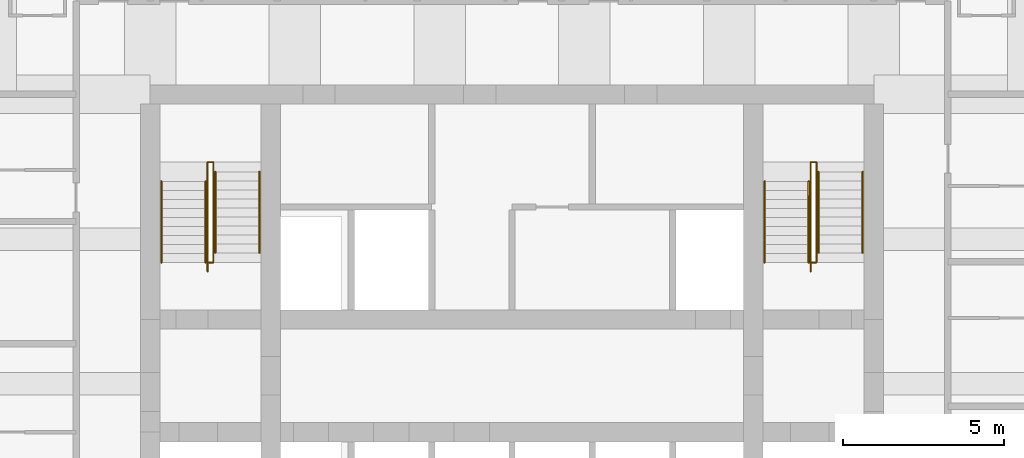
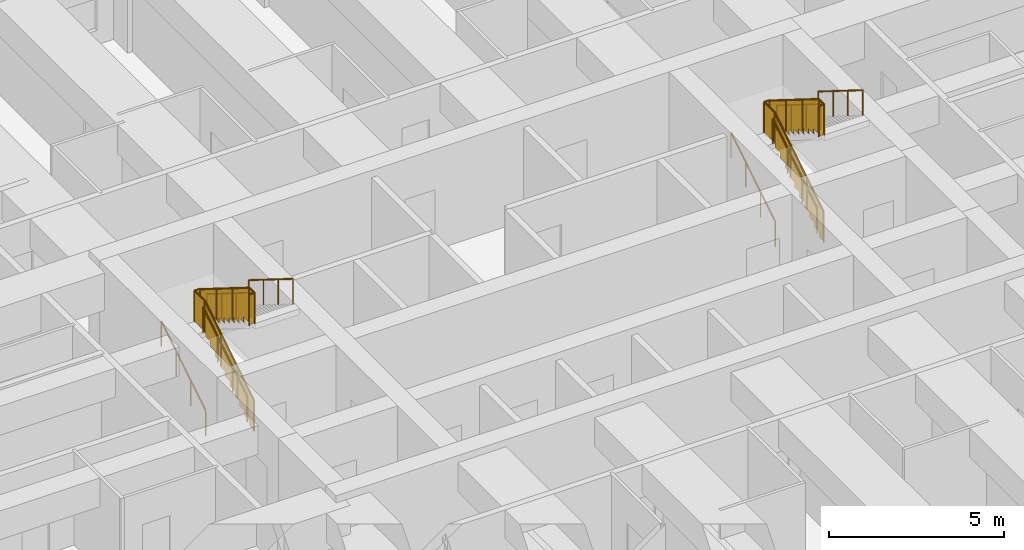
# One storey, part 8 of 8: 12 railings.
"""IFC4 building model written with IfcOpenShell, lengths in metres."""

import ifcopenshell
import ifcopenshell.guid

model = None  # the IFC model being written
_history = None  # IfcOwnerHistory: only IFC2X3 demands one
_inside = {}  # id of a spatial element -> (the spatial element, [elements in it])
_under = {}  # id of a project, library or spatial element -> (it, [spatial elements below it])
_declared = {}  # id of a project -> (the project, [libraries it declares])
_typed = {}  # id of a type object -> (the type object, [elements of that type])
_made_of = {}  # id of a material, layer set ... -> (it, [elements and type objects made of it])


def new_model(schema):
    """Start an empty IFC model of exactly this schema.

    Asked for "IFC4X3", IfcOpenShell would pick the latest addendum, in which some entities
    have other attributes; the version numbers below select the first issue.
    IFC2X3 requires an IfcOwnerHistory on every rooted entity: one is made here for all.
    """
    global model, _history
    if schema == "IFC4X3":
        model = ifcopenshell.file(schema_version=(4, 3, 0, 0))
    else:
        model = ifcopenshell.file(schema=schema)
    _inside.clear()
    _under.clear()
    _declared.clear()
    _typed.clear()
    _made_of.clear()
    _history = None
    if model.schema == "IFC2X3":
        org = make("IfcOrganization", Name="unknown")
        user = make(
            "IfcPersonAndOrganization",
            ThePerson=make("IfcPerson", FamilyName="unknown"),
            TheOrganization=org,
        )
        app = make(
            "IfcApplication",
            ApplicationDeveloper=org,
            Version="unknown",
            ApplicationFullName="unknown",
            ApplicationIdentifier="unknown",
        )
        _history = make(
            "IfcOwnerHistory",
            OwningUser=user,
            OwningApplication=app,
            ChangeAction="ADDED",
            CreationDate=0,
        )
    return model


def make(cls, **values):
    """One entity of the class cls with the attributes given. An attribute that is None is left unset."""
    return model.create_entity(
        cls, **{name: value for name, value in values.items() if value is not None}
    )


def rooted(cls, **values):
    """An entity with a GlobalId (a new one), such as an element, a storey or a relation."""
    return make(cls, GlobalId=ifcopenshell.guid.new(), OwnerHistory=_history, **values)


def si_unit(unit_type, name, prefix=None):
    """IfcSIUnit, for example si_unit("LENGTHUNIT", "METRE", prefix="MILLI")."""
    return make("IfcSIUnit", UnitType=unit_type, Prefix=prefix, Name=name)


def assignment(units):
    """IfcUnitAssignment: the units of a project."""
    return None if units is None else make("IfcUnitAssignment", Units=units)


def point(xyz):
    """IfcCartesianPoint."""
    return None if xyz is None else make("IfcCartesianPoint", Coordinates=xyz)


def direction(xyz):
    """IfcDirection."""
    return None if xyz is None else make("IfcDirection", DirectionRatios=xyz)


def frame(location, z_axis=None, x_axis=None):
    """IfcAxis2Placement3D, a coordinate frame: its origin and axes. An axis left out is left unset."""
    return make(
        "IfcAxis2Placement3D",
        Location=point(location),
        Axis=direction(z_axis),
        RefDirection=direction(x_axis),
    )


def frame_2d(location, x_axis=None):
    """IfcAxis2Placement2D, a coordinate frame in the plane: its origin and x axis."""
    return make(
        "IfcAxis2Placement2D", Location=point(location), RefDirection=direction(x_axis)
    )


def origin():
    """The frame at (0, 0, 0) with its axes left unset."""
    return frame((0.0, 0.0, 0.0))


def origin_2d():
    """The frame at (0, 0) in the plane with its x axis left unset."""
    return frame_2d((0.0, 0.0))


def place(relative_to, where):
    """IfcLocalPlacement: puts the frame where relative to a parent placement (None: the world)."""
    return make(
        "IfcLocalPlacement", PlacementRelTo=relative_to, RelativePlacement=where
    )


def context(
    kind, dimensions, precision=None, world=None, true_north=None, identifier=None
):
    """IfcGeometricRepresentationContext, for example the 3D "Model" context."""
    return make(
        "IfcGeometricRepresentationContext",
        ContextIdentifier=identifier,
        ContextType=kind,
        CoordinateSpaceDimension=dimensions,
        Precision=precision,
        WorldCoordinateSystem=world,
        TrueNorth=true_north,
    )


def subcontext(parent, identifier, kind, view, scale=None):
    """IfcGeometricRepresentationSubContext, for example "Body" below "Model"."""
    return make(
        "IfcGeometricRepresentationSubContext",
        ContextIdentifier=identifier,
        ContextType=kind,
        ParentContext=parent,
        TargetScale=scale,
        TargetView=view,
    )


def project(units=None, contexts=None):
    """IfcProject with its units and contexts."""
    return rooted(
        "IfcProject",
        Name="project",
        RepresentationContexts=contexts,
        UnitsInContext=assignment(units),
    )


def spatial(cls, under=None, at=None, **own):
    """A site, building, storey or space (cls), placed at a placement, below another one or the project."""
    s = rooted(cls, ObjectPlacement=at, **own)
    if under is not None:
        _under.setdefault(under.id(), (under, []))[1].append(s)
    return s


def polyline(points):
    """IfcPolyline through the points."""
    return make("IfcPolyline", Points=[point(p) for p in points])


def profile(cls, at=None, kind="AREA", **sizes):
    """A parametric profile (cls). Its sizes go by their IFC names, for example OverallWidth=200.0."""
    return make(cls, ProfileType=kind, Position=at, **sizes)


def circle(**sizes):
    """IfcCircleProfileDef."""
    return profile("IfcCircleProfileDef", **sizes)


def outline(outer, holes=None, kind="AREA"):
    """IfcArbitraryClosedProfileDef: a profile drawn as a closed curve; with holes, ...WithVoids."""
    if holes is None:
        return make("IfcArbitraryClosedProfileDef", ProfileType=kind, OuterCurve=outer)
    return make(
        "IfcArbitraryProfileDefWithVoids",
        ProfileType=kind,
        OuterCurve=outer,
        InnerCurves=holes,
    )


def extrude(swept, where, along, depth):
    """IfcExtrudedAreaSolid: the profile swept, set in the frame where, extruded along a direction by depth."""
    return make(
        "IfcExtrudedAreaSolid",
        SweptArea=swept,
        Position=where,
        ExtrudedDirection=direction(along),
        Depth=depth,
    )


def shape(context_of_items, identifier, shape_type, items):
    """IfcShapeRepresentation: the items that make up one representation, for example the "Body"."""
    return make(
        "IfcShapeRepresentation",
        ContextOfItems=context_of_items,
        RepresentationIdentifier=identifier,
        RepresentationType=shape_type,
        Items=items,
    )


def material(Name=None, Category=None):
    """IfcMaterial."""
    return make("IfcMaterial", Name=Name, Category=Category)


def made_of(thing, what):
    """Note that an element or type object is made of a material, layer set ...; save() writes the relation."""
    if what is not None:
        _made_of.setdefault(what.id(), (what, []))[1].append(thing)
    return thing


def type_object(cls, material=None, **own):
    """A type object (cls), such as IfcWallType, which elements share."""
    return made_of(rooted(cls, **own), material)


def element(
    cls,
    number,
    at=None,
    inside=None,
    cuts=None,
    type_object=None,
    material=None,
    context=None,
    identifier="Body",
    shape_type=None,
    held_by="IfcProductDefinitionShape",
    body=None,
    shapes=None,
    **own,
):
    """One element of the class cls, such as IfcWall. Its Tag is "e" and its number.

    at: its placement. inside: the storey or other place that contains it. cuts: it is an
    opening in that element (IfcRelVoidsElement). A single representation is given by context,
    identifier, shape_type and body (its items); several are given by shapes. held_by: the class
    of the entity that holds the representations. save() writes the other relations.
    """
    e = rooted(cls, Tag="e%d" % number, ObjectPlacement=at, **own)
    if body is not None:
        shapes = [shape(context, identifier, shape_type, body)]
    if shapes is not None:
        e.Representation = make(held_by, Representations=shapes)
    if inside is not None:
        _inside.setdefault(inside.id(), (inside, []))[1].append(e)
    if cuts is not None:
        rooted(
            "IfcRelVoidsElement", RelatingBuildingElement=cuts, RelatedOpeningElement=e
        )
    if type_object is not None:
        _typed.setdefault(type_object.id(), (type_object, []))[1].append(e)
    return made_of(e, material)


def aggregate(whole, parts):
    """IfcRelAggregates: a whole, such as a stair, and the parts it consists of."""
    return rooted("IfcRelAggregates", RelatingObject=whole, RelatedObjects=parts)


def save(model, path):
    """Write the relations noted so far, then the file.

    IfcRelAggregates (storeys below a building ...), IfcRelContainedInSpatialStructure (elements
    in a storey), IfcRelDefinesByType, IfcRelAssociatesMaterial and IfcRelDeclares: one each for
    every whole, place, type object, material and project.
    """
    for whole, parts in _under.values():
        aggregate(whole, parts)
    for where, things in _inside.values():
        rooted(
            "IfcRelContainedInSpatialStructure",
            RelatedElements=things,
            RelatingStructure=where,
        )
    for kind, things in _typed.values():
        rooted("IfcRelDefinesByType", RelatedObjects=things, RelatingType=kind)
    for what, things in _made_of.values():
        rooted("IfcRelAssociatesMaterial", RelatedObjects=things, RelatingMaterial=what)
    for by, libraries in _declared.values():
        rooted("IfcRelDeclares", RelatingContext=by, RelatedDefinitions=libraries)
    model.write(path)


model = new_model("IFC4")

# Units and contexts
model_context = context("Model", 3, precision=1e-05, world=origin(), true_north=direction((0.0, 1.0)))
body_context = subcontext(model_context, "Body", "Model", "MODEL_VIEW")
ifc_project = project(units=[si_unit("LENGTHUNIT", "METRE"), si_unit("AREAUNIT", "SQUARE_METRE"), si_unit("VOLUMEUNIT", "CUBIC_METRE"), si_unit("PLANEANGLEUNIT", "RADIAN"), si_unit("MASSUNIT", "GRAM", prefix="KILO")], contexts=[model_context])

# Site, building, storey
site_placement = place(None, origin())
site = spatial("IfcSite", under=ifc_project, at=site_placement, CompositionType="ELEMENT")
building_placement = place(site_placement, origin())
building = spatial("IfcBuilding", under=site, at=building_placement, Name="Kilele Tower Hotel", CompositionType="ELEMENT")
storey_placement = place(building_placement, frame((0.0, 0.0, 61.199951171875)))
storey = spatial("IfcBuildingStorey", under=building, at=storey_placement, Name="L14", CompositionType="ELEMENT", Elevation=61.199951171875)

# Railings
ifc_material_1 = material(Name="Steel handrail", Category="steel")
railing_type_1 = type_object("IfcRailingType", Name="Handrail 900", PredefinedType="HANDRAIL", material=ifc_material_1)
for number, where, name in (
    (1, (13.85009765625, 21.77490234375, 0.175048828125), "Handrail ST1 flight 1"),
    (2, (15.22509765625, 21.77490234375, 0.175048828125), "Handrail ST1 flight 1"),
):
    element("IfcRailing", number, at=place(storey_placement, frame(where)), inside=storey, type_object=railing_type_1, Name=name, PredefinedType="HANDRAIL", context=body_context, shape_type="SweptSolid", body=[
        extrude(circle(Radius=0.02490234375, at=origin_2d()), frame((0.0, 0.0, 0.875), z_axis=(0.0, 0.848007534815, 0.529984170421), x_axis=(-1.0, 0.0, 0.0)), (0.0, 0.0, 1.0), 2.9716796875),
        extrude(circle(Radius=0.02001953125, at=origin_2d()), origin(), (0.0, 0.0, 1.0), 0.849853515625),
        extrude(circle(Radius=0.02001953125, at=origin_2d()), frame((0.0, 0.840087890625, 0.52490234375)), (0.0, 0.0, 1.0), 0.849853515625),
        extrude(circle(Radius=0.02001953125, at=origin_2d()), frame((0.0, 1.679931640625, 1.050048828125)), (0.0, 0.0, 1.0), 0.849853515625),
        extrude(circle(Radius=0.02001953125, at=origin_2d()), frame((0.0, 2.52001953125, 1.574951171875)), (0.0, 0.0, 1.0), 0.849853515625),
    ])
for number, where, name in (
    (3, (15.52490234375, 24.594970703125, 1.925048828125), "Handrail ST1 flight 2"),
    (4, (16.89990234375, 24.594970703125, 1.925048828125), "Handrail ST1 flight 2"),
):
    element("IfcRailing", number, at=place(storey_placement, frame(where)), inside=storey, type_object=railing_type_1, Name=name, PredefinedType="HANDRAIL", context=body_context, shape_type="SweptSolid", body=[
        extrude(circle(Radius=0.02490234375, at=origin_2d()), frame((0.0, 0.0, 0.875), z_axis=(0.0, -0.848007534815, 0.529984170421), x_axis=(1.0, 0.0, 0.0)), (0.0, 0.0, 1.0), 2.9716796875),
        extrude(circle(Radius=0.02001953125, at=origin_2d()), origin(), (0.0, 0.0, 1.0), 0.849853515625),
        extrude(circle(Radius=0.02001953125, at=origin_2d()), frame((0.0, -0.840087890625, 0.52490234375)), (0.0, 0.0, 1.0), 0.849853515625),
        extrude(circle(Radius=0.02001953125, at=origin_2d()), frame((0.0, -1.679931640625, 1.050048828125)), (0.0, 0.0, 1.0), 0.849853515625),
        extrude(circle(Radius=0.02001953125, at=origin_2d()), frame((0.0, -2.52001953125, 1.574951171875)), (0.0, 0.0, 1.0), 0.849853515625),
    ])
for number, where, name in (
    (5, (32.60009765625, 21.77490234375, 0.175048828125), "Handrail ST2 flight 1"),
    (6, (33.97509765625, 21.77490234375, 0.175048828125), "Handrail ST2 flight 1"),
):
    element("IfcRailing", number, at=place(storey_placement, frame(where)), inside=storey, type_object=railing_type_1, Name=name, PredefinedType="HANDRAIL", context=body_context, shape_type="SweptSolid", body=[
        extrude(circle(Radius=0.02490234375, at=origin_2d()), frame((0.0, 0.0, 0.875), z_axis=(0.0, 0.848007534815, 0.529984170421), x_axis=(-1.0, 0.0, 0.0)), (0.0, 0.0, 1.0), 2.9716796875),
        extrude(circle(Radius=0.02001953125, at=origin_2d()), origin(), (0.0, 0.0, 1.0), 0.849853515625),
        extrude(circle(Radius=0.02001953125, at=origin_2d()), frame((0.0, 0.840087890625, 0.52490234375)), (0.0, 0.0, 1.0), 0.849853515625),
        extrude(circle(Radius=0.02001953125, at=origin_2d()), frame((0.0, 1.679931640625, 1.050048828125)), (0.0, 0.0, 1.0), 0.849853515625),
        extrude(circle(Radius=0.02001953125, at=origin_2d()), frame((0.0, 2.52001953125, 1.574951171875)), (0.0, 0.0, 1.0), 0.849853515625),
    ])
for number, where, name in (
    (7, (34.27490234375, 24.594970703125, 1.925048828125), "Handrail ST2 flight 2"),
    (8, (35.64990234375, 24.594970703125, 1.925048828125), "Handrail ST2 flight 2"),
):
    element("IfcRailing", number, at=place(storey_placement, frame(where)), inside=storey, type_object=railing_type_1, Name=name, PredefinedType="HANDRAIL", context=body_context, shape_type="SweptSolid", body=[
        extrude(circle(Radius=0.02490234375, at=origin_2d()), frame((0.0, 0.0, 0.875), z_axis=(0.0, -0.848007534815, 0.529984170421), x_axis=(1.0, 0.0, 0.0)), (0.0, 0.0, 1.0), 2.9716796875),
        extrude(circle(Radius=0.02001953125, at=origin_2d()), origin(), (0.0, 0.0, 1.0), 0.849853515625),
        extrude(circle(Radius=0.02001953125, at=origin_2d()), frame((0.0, -0.840087890625, 0.52490234375)), (0.0, 0.0, 1.0), 0.849853515625),
        extrude(circle(Radius=0.02001953125, at=origin_2d()), frame((0.0, -1.679931640625, 1.050048828125)), (0.0, 0.0, 1.0), 0.849853515625),
        extrude(circle(Radius=0.02001953125, at=origin_2d()), frame((0.0, -2.52001953125, 1.574951171875)), (0.0, 0.0, 1.0), 0.849853515625),
    ])
ifc_material_2 = material(Name="Steel guard", Category="steel")
railing_type_2 = type_object("IfcRailingType", Name="Stair guard 1100", PredefinedType="GUARDRAIL", material=ifc_material_2)
railing_1_placement = place(storey_placement, frame((15.284912109375, 21.4951171875, 0.0)))
element("IfcRailing", 9, at=railing_1_placement, inside=storey, type_object=railing_type_2, Name="Stair well guard ST1 flight 1", PredefinedType="GUARDRAIL", context=body_context, shape_type="SweptSolid", body=[
    extrude(circle(Radius=0.02490234375, at=origin_2d()), frame((0.0, 0.0, 1.0751953125), z_axis=(0.0, 0.847981687118, 0.530025526095), x_axis=(-1.0, 0.0, 0.0)), (0.0, 0.0, 1.0), 3.3017578125),
    extrude(circle(Radius=0.02490234375, at=origin_2d()), frame((0.0, 2.7998046875, 2.8251953125), z_axis=(0.0, 1.0, 0.0), x_axis=(-1.0, 0.0, 0.0)), (0.0, 0.0, 1.0), 0.60009765625),
    extrude(circle(Radius=0.02490234375, at=origin_2d()), frame((0.0, 3.39990234375, 2.8251953125), z_axis=(1.0, 0.0, 0.0), x_axis=(0.0, 1.0, 0.0)), (0.0, 0.0, 1.0), 0.18017578125),
    extrude(circle(Radius=0.02490234375, at=origin_2d()), origin(), (0.0, 0.0, 1.0), 1.050048828125),
    extrude(circle(Radius=0.02490234375, at=origin_2d()), frame((0.0, 0.933349609375, 0.583251953125)), (0.0, 0.0, 1.0), 1.050048828125),
    extrude(circle(Radius=0.02490234375, at=origin_2d()), frame((0.0, 1.866455078125, 1.166748046875)), (0.0, 0.0, 1.0), 1.050048828125),
    extrude(circle(Radius=0.02490234375, at=origin_2d()), frame((0.0, 2.7998046875, 1.75)), (0.0, 0.0, 1.0), 1.050048828125),
    extrude(circle(Radius=0.02490234375, at=origin_2d()), frame((0.0, 3.39990234375, 1.75)), (0.0, 0.0, 1.0), 1.050048828125),
    extrude(circle(Radius=0.02490234375, at=origin_2d()), frame((0.18017578125, 3.39990234375, 1.75)), (0.0, 0.0, 1.0), 1.050048828125),
    extrude(outline(polyline([(0.012451171875, 0.030029296875), (0.25, 0.030029296875), (0.25, 0.205078125), (0.530029296875, 0.205078125), (0.530029296875, 0.380126953125), (0.809814453125, 0.380126953125), (0.809814453125, 0.554931640625), (1.08984375, 0.554931640625), (1.08984375, 0.72998046875), (1.369873046875, 0.72998046875), (1.369873046875, 0.905029296875), (1.64990234375, 0.905029296875), (1.64990234375, 1.080078125), (1.929931640625, 1.080078125), (1.929931640625, 1.255126953125), (2.209716796875, 1.255126953125), (2.209716796875, 1.429931640625), (2.48974609375, 1.429931640625), (2.48974609375, 1.60498046875), (2.769775390625, 1.60498046875), (2.769775390625, 1.780029296875), (2.787353515625, 1.780029296875), (2.787353515625, 2.787841796875), (0.012451171875, 1.053466796875), (0.012451171875, 0.030029296875)])), frame((-0.005859375, 0.0, 0.0), z_axis=(1.0, 0.0, 0.0), x_axis=(0.0, 1.0, 0.0)), (0.0, 0.0, 1.0), 0.011962890625),
    extrude(outline(polyline([(0.012451171875, 0.030029296875), (0.587646484375, 0.030029296875), (0.587646484375, 1.050048828125), (0.012451171875, 1.050048828125), (0.012451171875, 0.030029296875)])), frame((-0.005859375, 2.7998046875, 1.75), z_axis=(1.0, 0.0, 0.0), x_axis=(0.0, 1.0, 0.0)), (0.0, 0.0, 1.0), 0.011962890625),
    extrude(outline(polyline([(0.012451171875, 0.030029296875), (0.18017578125, 0.030029296875), (0.18017578125, 1.050048828125), (0.012451171875, 1.050048828125), (0.012451171875, 0.030029296875)])), frame((0.0, 3.40576171875, 1.75), z_axis=(0.0, -1.0, 0.0), x_axis=(1.0, 0.0, 0.0)), (0.0, 0.0, 1.0), 0.011962890625),
])
railing_2_placement = place(storey_placement, frame((15.465087890625, 24.89501953125, 1.75)))
element("IfcRailing", 10, at=railing_2_placement, inside=storey, type_object=railing_type_2, Name="Stair well guard ST1 flight 2", PredefinedType="GUARDRAIL", context=body_context, shape_type="SweptSolid", body=[
    extrude(circle(Radius=0.02490234375, at=origin_2d()), frame((0.0, 0.0, 1.0751953125), z_axis=(0.0, -1.0, 0.0), x_axis=(1.0, 0.0, 0.0)), (0.0, 0.0, 1.0), 0.02001953125),
    extrude(circle(Radius=0.02490234375, at=origin_2d()), frame((0.0, -0.02001953125, 1.0751953125), z_axis=(0.0, -0.848002457836, 0.529992293815), x_axis=(1.0, 0.0, 0.0)), (0.0, 0.0, 1.0), 3.302001953125),
    extrude(circle(Radius=0.02490234375, at=origin_2d()), frame((0.0, -2.820068359375, 2.8251953125), z_axis=(0.0, -1.0, 0.0), x_axis=(1.0, 0.0, 0.0)), (0.0, 0.0, 1.0), 0.300048828125),
    extrude(circle(Radius=0.02490234375, at=origin_2d()), frame((0.0, -3.1201171875, 2.8251953125), z_axis=(-1.0, 0.0, 0.0), x_axis=(0.0, -1.0, 0.0)), (0.0, 0.0, 1.0), 0.18017578125),
    extrude(circle(Radius=0.02490234375, at=origin_2d()), origin(), (0.0, 0.0, 1.0), 1.050048828125),
    extrude(circle(Radius=0.02490234375, at=origin_2d()), frame((0.0, -0.02001953125, 0.0)), (0.0, 0.0, 1.0), 1.050048828125),
    extrude(circle(Radius=0.02490234375, at=origin_2d()), frame((0.0, -0.953369140625, 0.583251953125)), (0.0, 0.0, 1.0), 1.050048828125),
    extrude(circle(Radius=0.02490234375, at=origin_2d()), frame((0.0, -1.88671875, 1.166748046875)), (0.0, 0.0, 1.0), 1.050048828125),
    extrude(circle(Radius=0.02490234375, at=origin_2d()), frame((0.0, -2.820068359375, 1.75)), (0.0, 0.0, 1.0), 1.050048828125),
    extrude(circle(Radius=0.02490234375, at=origin_2d()), frame((0.0, -3.1201171875, 1.75)), (0.0, 0.0, 1.0), 1.050048828125),
    extrude(circle(Radius=0.02490234375, at=origin_2d()), frame((-0.18017578125, -3.1201171875, 1.75)), (0.0, 0.0, 1.0), 1.050048828125),
    extrude(outline(polyline([(0.012451171875, 0.030029296875), (0.25, 0.030029296875), (0.25, 0.205078125), (0.530029296875, 0.205078125), (0.530029296875, 0.380126953125), (0.81005859375, 0.380126953125), (0.81005859375, 0.554931640625), (1.090087890625, 0.554931640625), (1.090087890625, 0.72998046875), (1.3701171875, 0.72998046875), (1.3701171875, 0.905029296875), (1.64990234375, 0.905029296875), (1.64990234375, 1.080078125), (1.929931640625, 1.080078125), (1.929931640625, 1.255126953125), (2.2099609375, 1.255126953125), (2.2099609375, 1.429931640625), (2.489990234375, 1.429931640625), (2.489990234375, 1.60498046875), (2.77001953125, 1.60498046875), (2.77001953125, 1.780029296875), (2.78759765625, 1.780029296875), (2.78759765625, 2.787841796875), (0.012451171875, 1.053466796875), (0.012451171875, 0.030029296875)])), frame((0.005859375, -0.02001953125, 0.0), z_axis=(-1.0, 0.0, 0.0), x_axis=(0.0, -1.0, 0.0)), (0.0, 0.0, 1.0), 0.011962890625),
    extrude(outline(polyline([(0.012451171875, 0.030029296875), (0.28759765625, 0.030029296875), (0.28759765625, 1.050048828125), (0.012451171875, 1.050048828125), (0.012451171875, 0.030029296875)])), frame((0.005859375, -2.820068359375, 1.75), z_axis=(-1.0, 0.0, 0.0), x_axis=(0.0, -1.0, 0.0)), (0.0, 0.0, 1.0), 0.011962890625),
    extrude(outline(polyline([(0.012451171875, 0.030029296875), (0.18017578125, 0.030029296875), (0.18017578125, 1.050048828125), (0.012451171875, 1.050048828125), (0.012451171875, 0.030029296875)])), frame((0.0, -3.1259765625, 1.75), z_axis=(0.0, 1.0, 0.0), x_axis=(-1.0, 0.0, 0.0)), (0.0, 0.0, 1.0), 0.011962890625),
])
railing_3_placement = place(storey_placement, frame((34.034912109375, 21.4951171875, 0.0)))
element("IfcRailing", 11, at=railing_3_placement, inside=storey, type_object=railing_type_2, Name="Stair well guard ST2 flight 1", PredefinedType="GUARDRAIL", context=body_context, shape_type="SweptSolid", body=[
    extrude(circle(Radius=0.02490234375, at=origin_2d()), frame((0.0, 0.0, 1.0751953125), z_axis=(0.0, 0.847981687118, 0.530025526095), x_axis=(-1.0, 0.0, 0.0)), (0.0, 0.0, 1.0), 3.3017578125),
    extrude(circle(Radius=0.02490234375, at=origin_2d()), frame((0.0, 2.7998046875, 2.8251953125), z_axis=(0.0, 1.0, 0.0), x_axis=(-1.0, 0.0, 0.0)), (0.0, 0.0, 1.0), 0.60009765625),
    extrude(circle(Radius=0.02490234375, at=origin_2d()), frame((0.0, 3.39990234375, 2.8251953125), z_axis=(1.0, 0.0, 0.0), x_axis=(0.0, 1.0, 0.0)), (0.0, 0.0, 1.0), 0.18017578125),
    extrude(circle(Radius=0.02490234375, at=origin_2d()), origin(), (0.0, 0.0, 1.0), 1.050048828125),
    extrude(circle(Radius=0.02490234375, at=origin_2d()), frame((0.0, 0.933349609375, 0.583251953125)), (0.0, 0.0, 1.0), 1.050048828125),
    extrude(circle(Radius=0.02490234375, at=origin_2d()), frame((0.0, 1.866455078125, 1.166748046875)), (0.0, 0.0, 1.0), 1.050048828125),
    extrude(circle(Radius=0.02490234375, at=origin_2d()), frame((0.0, 2.7998046875, 1.75)), (0.0, 0.0, 1.0), 1.050048828125),
    extrude(circle(Radius=0.02490234375, at=origin_2d()), frame((0.0, 3.39990234375, 1.75)), (0.0, 0.0, 1.0), 1.050048828125),
    extrude(circle(Radius=0.02490234375, at=origin_2d()), frame((0.18017578125, 3.39990234375, 1.75)), (0.0, 0.0, 1.0), 1.050048828125),
    extrude(outline(polyline([(0.012451171875, 0.030029296875), (0.25, 0.030029296875), (0.25, 0.205078125), (0.530029296875, 0.205078125), (0.530029296875, 0.380126953125), (0.809814453125, 0.380126953125), (0.809814453125, 0.554931640625), (1.08984375, 0.554931640625), (1.08984375, 0.72998046875), (1.369873046875, 0.72998046875), (1.369873046875, 0.905029296875), (1.64990234375, 0.905029296875), (1.64990234375, 1.080078125), (1.929931640625, 1.080078125), (1.929931640625, 1.255126953125), (2.209716796875, 1.255126953125), (2.209716796875, 1.429931640625), (2.48974609375, 1.429931640625), (2.48974609375, 1.60498046875), (2.769775390625, 1.60498046875), (2.769775390625, 1.780029296875), (2.787353515625, 1.780029296875), (2.787353515625, 2.787841796875), (0.012451171875, 1.053466796875), (0.012451171875, 0.030029296875)])), frame((-0.005859375, 0.0, 0.0), z_axis=(1.0, 0.0, 0.0), x_axis=(0.0, 1.0, 0.0)), (0.0, 0.0, 1.0), 0.011962890625),
    extrude(outline(polyline([(0.012451171875, 0.030029296875), (0.587646484375, 0.030029296875), (0.587646484375, 1.050048828125), (0.012451171875, 1.050048828125), (0.012451171875, 0.030029296875)])), frame((-0.005859375, 2.7998046875, 1.75), z_axis=(1.0, 0.0, 0.0), x_axis=(0.0, 1.0, 0.0)), (0.0, 0.0, 1.0), 0.011962890625),
    extrude(outline(polyline([(0.012451171875, 0.030029296875), (0.18017578125, 0.030029296875), (0.18017578125, 1.050048828125), (0.012451171875, 1.050048828125), (0.012451171875, 0.030029296875)])), frame((0.0, 3.40576171875, 1.75), z_axis=(0.0, -1.0, 0.0), x_axis=(1.0, 0.0, 0.0)), (0.0, 0.0, 1.0), 0.011962890625),
])
railing_4_placement = place(storey_placement, frame((34.215087890625, 24.89501953125, 1.75)))
element("IfcRailing", 12, at=railing_4_placement, inside=storey, type_object=railing_type_2, Name="Stair well guard ST2 flight 2", PredefinedType="GUARDRAIL", context=body_context, shape_type="SweptSolid", body=[
    extrude(circle(Radius=0.02490234375, at=origin_2d()), frame((0.0, 0.0, 1.0751953125), z_axis=(0.0, -1.0, 0.0), x_axis=(1.0, 0.0, 0.0)), (0.0, 0.0, 1.0), 0.02001953125),
    extrude(circle(Radius=0.02490234375, at=origin_2d()), frame((0.0, -0.02001953125, 1.0751953125), z_axis=(0.0, -0.848002457836, 0.529992293815), x_axis=(1.0, 0.0, 0.0)), (0.0, 0.0, 1.0), 3.302001953125),
    extrude(circle(Radius=0.02490234375, at=origin_2d()), frame((0.0, -2.820068359375, 2.8251953125), z_axis=(0.0, -1.0, 0.0), x_axis=(1.0, 0.0, 0.0)), (0.0, 0.0, 1.0), 0.300048828125),
    extrude(circle(Radius=0.02490234375, at=origin_2d()), frame((0.0, -3.1201171875, 2.8251953125), z_axis=(-1.0, 0.0, 0.0), x_axis=(0.0, -1.0, 0.0)), (0.0, 0.0, 1.0), 0.18017578125),
    extrude(circle(Radius=0.02490234375, at=origin_2d()), origin(), (0.0, 0.0, 1.0), 1.050048828125),
    extrude(circle(Radius=0.02490234375, at=origin_2d()), frame((0.0, -0.02001953125, 0.0)), (0.0, 0.0, 1.0), 1.050048828125),
    extrude(circle(Radius=0.02490234375, at=origin_2d()), frame((0.0, -0.953369140625, 0.583251953125)), (0.0, 0.0, 1.0), 1.050048828125),
    extrude(circle(Radius=0.02490234375, at=origin_2d()), frame((0.0, -1.88671875, 1.166748046875)), (0.0, 0.0, 1.0), 1.050048828125),
    extrude(circle(Radius=0.02490234375, at=origin_2d()), frame((0.0, -2.820068359375, 1.75)), (0.0, 0.0, 1.0), 1.050048828125),
    extrude(circle(Radius=0.02490234375, at=origin_2d()), frame((0.0, -3.1201171875, 1.75)), (0.0, 0.0, 1.0), 1.050048828125),
    extrude(circle(Radius=0.02490234375, at=origin_2d()), frame((-0.18017578125, -3.1201171875, 1.75)), (0.0, 0.0, 1.0), 1.050048828125),
    extrude(outline(polyline([(0.012451171875, 0.030029296875), (0.25, 0.030029296875), (0.25, 0.205078125), (0.530029296875, 0.205078125), (0.530029296875, 0.380126953125), (0.81005859375, 0.380126953125), (0.81005859375, 0.554931640625), (1.090087890625, 0.554931640625), (1.090087890625, 0.72998046875), (1.3701171875, 0.72998046875), (1.3701171875, 0.905029296875), (1.64990234375, 0.905029296875), (1.64990234375, 1.080078125), (1.929931640625, 1.080078125), (1.929931640625, 1.255126953125), (2.2099609375, 1.255126953125), (2.2099609375, 1.429931640625), (2.489990234375, 1.429931640625), (2.489990234375, 1.60498046875), (2.77001953125, 1.60498046875), (2.77001953125, 1.780029296875), (2.78759765625, 1.780029296875), (2.78759765625, 2.787841796875), (0.012451171875, 1.053466796875), (0.012451171875, 0.030029296875)])), frame((0.005859375, -0.02001953125, 0.0), z_axis=(-1.0, 0.0, 0.0), x_axis=(0.0, -1.0, 0.0)), (0.0, 0.0, 1.0), 0.011962890625),
    extrude(outline(polyline([(0.012451171875, 0.030029296875), (0.28759765625, 0.030029296875), (0.28759765625, 1.050048828125), (0.012451171875, 1.050048828125), (0.012451171875, 0.030029296875)])), frame((0.005859375, -2.820068359375, 1.75), z_axis=(-1.0, 0.0, 0.0), x_axis=(0.0, -1.0, 0.0)), (0.0, 0.0, 1.0), 0.011962890625),
    extrude(outline(polyline([(0.012451171875, 0.030029296875), (0.18017578125, 0.030029296875), (0.18017578125, 1.050048828125), (0.012451171875, 1.050048828125), (0.012451171875, 0.030029296875)])), frame((0.0, -3.1259765625, 1.75), z_axis=(0.0, 1.0, 0.0), x_axis=(-1.0, 0.0, 0.0)), (0.0, 0.0, 1.0), 0.011962890625),
])

save(model, "model.ifc")
